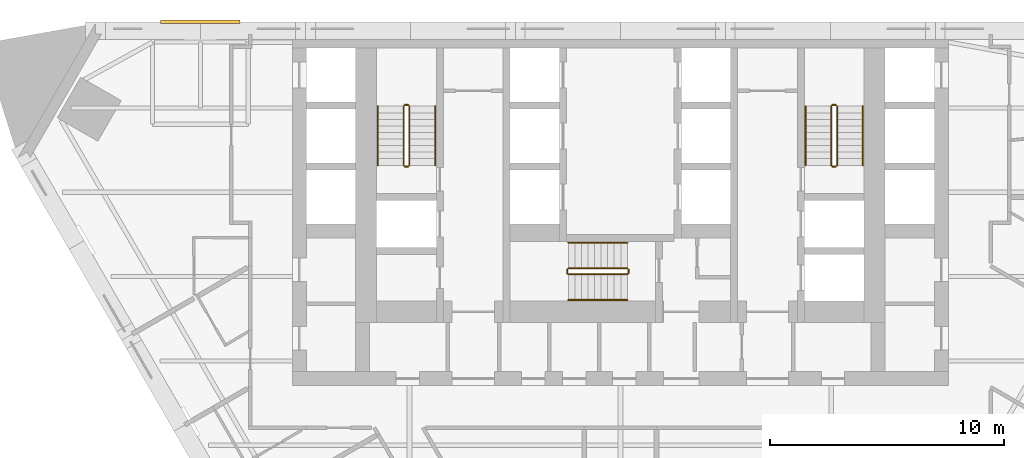
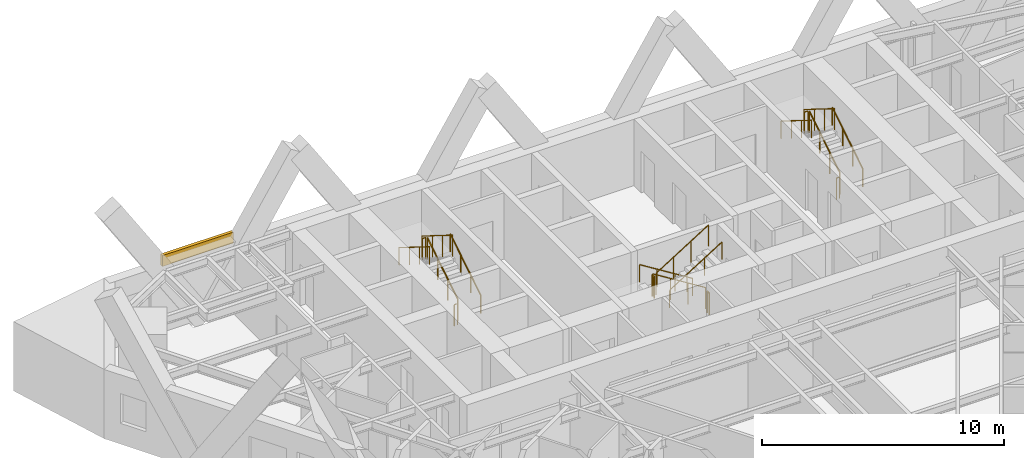
# One storey, part 9 of 9: 18 railings, 1 covering.
"""IFC4 building model written with IfcOpenShell, lengths in metres."""

from ifc_helpers import new_model, si_unit, direction, frame, origin, origin_2d, place, context, subcontext, project, spatial, polyline, circle, outline, extrude, material, layer, layer_set, type_object, element, save


model = new_model("IFC4")

# Units and contexts
model_context = context("Model", 3, precision=1e-05, world=origin(), true_north=direction((0.0, 1.0)))
body_context = subcontext(model_context, "Body", "Model", "MODEL_VIEW")
ifc_project = project(units=[si_unit("LENGTHUNIT", "METRE"), si_unit("AREAUNIT", "SQUARE_METRE"), si_unit("VOLUMEUNIT", "CUBIC_METRE"), si_unit("PLANEANGLEUNIT", "RADIAN"), si_unit("MASSUNIT", "GRAM", prefix="KILO")], contexts=[model_context])

# Site, building, storey
site_placement = place(None, origin())
site = spatial("IfcSite", under=ifc_project, at=site_placement, CompositionType="ELEMENT")
building_placement = place(site_placement, origin())
building = spatial("IfcBuilding", under=site, at=building_placement, Name="Aloe Facet Convention Tower", CompositionType="ELEMENT")
storey_placement = place(building_placement, frame((0.0, 0.0, 42.0)))
storey = spatial("IfcBuildingStorey", under=building, at=storey_placement, Name="L08", CompositionType="ELEMENT", Elevation=42.0)

# Railings
ifc_material_1 = material(Name="Steel S355 balustrade", Category="steel")
railing_type_1 = type_object("IfcRailingType", Name="CR-RL-GUARD", PredefinedType="GUARDRAIL", material=ifc_material_1)
railing_1_placement = place(storey_placement, frame((71.0, 128.949951171875, 0.175048828125)))
element("IfcRailing", 1, at=railing_1_placement, inside=storey, type_object=railing_type_1, Name="L08 ST1 stair guard 1", PredefinedType="GUARDRAIL", context=body_context, shape_type="SweptSolid", body=[
    extrude(circle(Radius=0.02392578125, at=origin_2d()), frame((0.0, 0.0, 1.076171875), z_axis=(0.0, 0.848007534815, 0.529984170421), x_axis=(-1.0, 0.0, 0.0)), (0.0, 0.0, 1.0), 2.9716796875),
    extrude(circle(Radius=0.02099609375, at=origin_2d()), origin(), (0.0, 0.0, 1.0), 1.052001953125),
    extrude(circle(Radius=0.02099609375, at=origin_2d()), frame((0.0, 0.840087890625, 0.52490234375)), (0.0, 0.0, 1.0), 1.052001953125),
    extrude(circle(Radius=0.02099609375, at=origin_2d()), frame((0.0, 1.679931640625, 1.050048828125)), (0.0, 0.0, 1.0), 1.052001953125),
    extrude(circle(Radius=0.02099609375, at=origin_2d()), frame((0.0, 2.52001953125, 1.574951171875)), (0.0, 0.0, 1.0), 1.052001953125),
])
railing_2_placement = place(storey_placement, frame((70.949951171875, 131.52001953125, 1.75)))
element("IfcRailing", 2, at=railing_2_placement, inside=storey, type_object=railing_type_1, Name="L08 ST1 stair guard 2", PredefinedType="GUARDRAIL", context=body_context, shape_type="SweptSolid", body=[
    extrude(circle(Radius=0.02392578125, at=origin_2d()), frame((0.0, 0.0, 1.076171875), z_axis=(-1.0, 0.0, 0.0), x_axis=(0.0, -1.0, 0.0)), (0.0, 0.0, 1.0), 0.14990234375),
    extrude(circle(Radius=0.02099609375, at=origin_2d()), origin(), (0.0, 0.0, 1.0), 1.052001953125),
    extrude(circle(Radius=0.02099609375, at=origin_2d()), frame((-0.14990234375, 0.0, 0.0)), (0.0, 0.0, 1.0), 1.052001953125),
])
railing_3_placement = place(storey_placement, frame((70.75, 131.469970703125, 1.925048828125)))
element("IfcRailing", 3, at=railing_3_placement, inside=storey, type_object=railing_type_1, Name="L08 ST1 stair guard 3", PredefinedType="GUARDRAIL", context=body_context, shape_type="SweptSolid", body=[
    extrude(circle(Radius=0.02392578125, at=origin_2d()), frame((0.0, 0.0, 1.076171875), z_axis=(0.0, -0.848007534815, 0.529984170421), x_axis=(1.0, 0.0, 0.0)), (0.0, 0.0, 1.0), 2.9716796875),
    extrude(circle(Radius=0.02099609375, at=origin_2d()), origin(), (0.0, 0.0, 1.0), 1.052001953125),
    extrude(circle(Radius=0.02099609375, at=origin_2d()), frame((0.0, -0.840087890625, 0.52490234375)), (0.0, 0.0, 1.0), 1.052001953125),
    extrude(circle(Radius=0.02099609375, at=origin_2d()), frame((0.0, -1.679931640625, 1.050048828125)), (0.0, 0.0, 1.0), 1.052001953125),
    extrude(circle(Radius=0.02099609375, at=origin_2d()), frame((0.0, -2.52001953125, 1.574951171875)), (0.0, 0.0, 1.0), 1.052001953125),
])
railing_4_placement = place(storey_placement, frame((70.949951171875, 128.89990234375, 0.0)))
element("IfcRailing", 4, at=railing_4_placement, inside=storey, type_object=railing_type_1, Name="L08 ST1 stair guard 4", PredefinedType="GUARDRAIL", context=body_context, shape_type="SweptSolid", body=[
    extrude(circle(Radius=0.02392578125, at=origin_2d()), frame((0.0, 0.0, 1.076171875), z_axis=(-1.0, 0.0, 0.0), x_axis=(0.0, -1.0, 0.0)), (0.0, 0.0, 1.0), 0.14990234375),
    extrude(circle(Radius=0.02099609375, at=origin_2d()), origin(), (0.0, 0.0, 1.0), 1.052001953125),
    extrude(circle(Radius=0.02099609375, at=origin_2d()), frame((-0.14990234375, 0.0, 0.0)), (0.0, 0.0, 1.0), 1.052001953125),
])
railing_5_placement = place(storey_placement, frame((89.25, 128.949951171875, 0.175048828125)))
element("IfcRailing", 5, at=railing_5_placement, inside=storey, type_object=railing_type_1, Name="L08 ST2 stair guard 1", PredefinedType="GUARDRAIL", context=body_context, shape_type="SweptSolid", body=[
    extrude(circle(Radius=0.02392578125, at=origin_2d()), frame((0.0, 0.0, 1.076171875), z_axis=(0.0, 0.848007534815, 0.529984170421), x_axis=(-1.0, 0.0, 0.0)), (0.0, 0.0, 1.0), 2.9716796875),
    extrude(circle(Radius=0.02099609375, at=origin_2d()), origin(), (0.0, 0.0, 1.0), 1.052001953125),
    extrude(circle(Radius=0.02099609375, at=origin_2d()), frame((0.0, 0.840087890625, 0.52490234375)), (0.0, 0.0, 1.0), 1.052001953125),
    extrude(circle(Radius=0.02099609375, at=origin_2d()), frame((0.0, 1.679931640625, 1.050048828125)), (0.0, 0.0, 1.0), 1.052001953125),
    extrude(circle(Radius=0.02099609375, at=origin_2d()), frame((0.0, 2.52001953125, 1.574951171875)), (0.0, 0.0, 1.0), 1.052001953125),
])
railing_6_placement = place(storey_placement, frame((89.199951171875, 131.52001953125, 1.75)))
element("IfcRailing", 6, at=railing_6_placement, inside=storey, type_object=railing_type_1, Name="L08 ST2 stair guard 2", PredefinedType="GUARDRAIL", context=body_context, shape_type="SweptSolid", body=[
    extrude(circle(Radius=0.02392578125, at=origin_2d()), frame((0.0, 0.0, 1.076171875), z_axis=(-1.0, 0.0, 0.0), x_axis=(0.0, -1.0, 0.0)), (0.0, 0.0, 1.0), 0.14990234375),
    extrude(circle(Radius=0.02099609375, at=origin_2d()), origin(), (0.0, 0.0, 1.0), 1.052001953125),
    extrude(circle(Radius=0.02099609375, at=origin_2d()), frame((-0.14990234375, 0.0, 0.0)), (0.0, 0.0, 1.0), 1.052001953125),
])
railing_7_placement = place(storey_placement, frame((89.0, 131.469970703125, 1.925048828125)))
element("IfcRailing", 7, at=railing_7_placement, inside=storey, type_object=railing_type_1, Name="L08 ST2 stair guard 3", PredefinedType="GUARDRAIL", context=body_context, shape_type="SweptSolid", body=[
    extrude(circle(Radius=0.02392578125, at=origin_2d()), frame((0.0, 0.0, 1.076171875), z_axis=(0.0, -0.848007534815, 0.529984170421), x_axis=(1.0, 0.0, 0.0)), (0.0, 0.0, 1.0), 2.9716796875),
    extrude(circle(Radius=0.02099609375, at=origin_2d()), origin(), (0.0, 0.0, 1.0), 1.052001953125),
    extrude(circle(Radius=0.02099609375, at=origin_2d()), frame((0.0, -0.840087890625, 0.52490234375)), (0.0, 0.0, 1.0), 1.052001953125),
    extrude(circle(Radius=0.02099609375, at=origin_2d()), frame((0.0, -1.679931640625, 1.050048828125)), (0.0, 0.0, 1.0), 1.052001953125),
    extrude(circle(Radius=0.02099609375, at=origin_2d()), frame((0.0, -2.52001953125, 1.574951171875)), (0.0, 0.0, 1.0), 1.052001953125),
])
railing_8_placement = place(storey_placement, frame((89.199951171875, 128.89990234375, 0.0)))
element("IfcRailing", 8, at=railing_8_placement, inside=storey, type_object=railing_type_1, Name="L08 ST2 stair guard 4", PredefinedType="GUARDRAIL", context=body_context, shape_type="SweptSolid", body=[
    extrude(circle(Radius=0.02392578125, at=origin_2d()), frame((0.0, 0.0, 1.076171875), z_axis=(-1.0, 0.0, 0.0), x_axis=(0.0, -1.0, 0.0)), (0.0, 0.0, 1.0), 0.14990234375),
    extrude(circle(Radius=0.02099609375, at=origin_2d()), origin(), (0.0, 0.0, 1.0), 1.052001953125),
    extrude(circle(Radius=0.02099609375, at=origin_2d()), frame((-0.14990234375, 0.0, 0.0)), (0.0, 0.0, 1.0), 1.052001953125),
])
railing_9_placement = place(storey_placement, frame((80.300048828125, 124.550048828125, 0.175048828125)))
element("IfcRailing", 9, at=railing_9_placement, inside=storey, type_object=railing_type_1, Name="L08 ST3 stair guard 1", PredefinedType="GUARDRAIL", context=body_context, shape_type="SweptSolid", body=[
    extrude(circle(Radius=0.02392578125, at=origin_2d()), frame((0.0, 0.0, 1.076171875), z_axis=(-0.848007534815, 0.0, 0.529984170421), x_axis=(0.0, -1.0, 0.0)), (0.0, 0.0, 1.0), 2.9716796875),
    extrude(circle(Radius=0.02099609375, at=origin_2d()), origin(), (0.0, 0.0, 1.0), 1.052001953125),
    extrude(circle(Radius=0.02099609375, at=origin_2d()), frame((-0.840087890625, 0.0, 0.52490234375)), (0.0, 0.0, 1.0), 1.052001953125),
    extrude(circle(Radius=0.02099609375, at=origin_2d()), frame((-1.679931640625, 0.0, 1.050048828125)), (0.0, 0.0, 1.0), 1.052001953125),
    extrude(circle(Radius=0.02099609375, at=origin_2d()), frame((-2.52001953125, 0.0, 1.574951171875)), (0.0, 0.0, 1.0), 1.052001953125),
])
railing_10_placement = place(storey_placement, frame((77.72998046875, 124.5, 1.75)))
element("IfcRailing", 10, at=railing_10_placement, inside=storey, type_object=railing_type_1, Name="L08 ST3 stair guard 2", PredefinedType="GUARDRAIL", context=body_context, shape_type="SweptSolid", body=[
    extrude(circle(Radius=0.02392578125, at=origin_2d()), frame((0.0, 0.0, 1.076171875), z_axis=(0.0, -1.0, 0.0), x_axis=(1.0, 0.0, 0.0)), (0.0, 0.0, 1.0), 0.14990234375),
    extrude(circle(Radius=0.02099609375, at=origin_2d()), origin(), (0.0, 0.0, 1.0), 1.052001953125),
    extrude(circle(Radius=0.02099609375, at=origin_2d()), frame((0.0, -0.14990234375, 0.0)), (0.0, 0.0, 1.0), 1.052001953125),
])
railing_11_placement = place(storey_placement, frame((77.780029296875, 124.300048828125, 1.925048828125)))
element("IfcRailing", 11, at=railing_11_placement, inside=storey, type_object=railing_type_1, Name="L08 ST3 stair guard 3", PredefinedType="GUARDRAIL", context=body_context, shape_type="SweptSolid", body=[
    extrude(circle(Radius=0.02392578125, at=origin_2d()), frame((0.0, 0.0, 1.076171875), z_axis=(0.848007534815, 0.0, 0.529984170421), x_axis=(0.0, 1.0, 0.0)), (0.0, 0.0, 1.0), 2.9716796875),
    extrude(circle(Radius=0.02099609375, at=origin_2d()), origin(), (0.0, 0.0, 1.0), 1.052001953125),
    extrude(circle(Radius=0.02099609375, at=origin_2d()), frame((0.840087890625, 0.0, 0.52490234375)), (0.0, 0.0, 1.0), 1.052001953125),
    extrude(circle(Radius=0.02099609375, at=origin_2d()), frame((1.679931640625, 0.0, 1.050048828125)), (0.0, 0.0, 1.0), 1.052001953125),
    extrude(circle(Radius=0.02099609375, at=origin_2d()), frame((2.52001953125, 0.0, 1.574951171875)), (0.0, 0.0, 1.0), 1.052001953125),
])
railing_12_placement = place(storey_placement, frame((80.35009765625, 124.5, 0.0)))
element("IfcRailing", 12, at=railing_12_placement, inside=storey, type_object=railing_type_1, Name="L08 ST3 stair guard 4", PredefinedType="GUARDRAIL", context=body_context, shape_type="SweptSolid", body=[
    extrude(circle(Radius=0.02392578125, at=origin_2d()), frame((0.0, 0.0, 1.076171875), z_axis=(0.0, -1.0, 0.0), x_axis=(1.0, 0.0, 0.0)), (0.0, 0.0, 1.0), 0.14990234375),
    extrude(circle(Radius=0.02099609375, at=origin_2d()), origin(), (0.0, 0.0, 1.0), 1.052001953125),
    extrude(circle(Radius=0.02099609375, at=origin_2d()), frame((0.0, -0.14990234375, 0.0)), (0.0, 0.0, 1.0), 1.052001953125),
])
ifc_material_2 = material(Name="Steel S355 handrail", Category="steel")
railing_type_2 = type_object("IfcRailingType", Name="CR-RL-HAND", PredefinedType="HANDRAIL", material=ifc_material_2)
railing_13_placement = place(storey_placement, frame((72.10009765625, 128.949951171875, 0.175048828125)))
element("IfcRailing", 13, at=railing_13_placement, inside=storey, type_object=railing_type_2, Name="L08 ST1 stair handrail 1", PredefinedType="HANDRAIL", context=body_context, shape_type="SweptSolid", body=[
    extrude(circle(Radius=0.02392578125, at=origin_2d()), frame((0.0, 0.0, 0.8759765625), z_axis=(0.0, 0.848007534815, 0.529984170421), x_axis=(-1.0, 0.0, 0.0)), (0.0, 0.0, 1.0), 2.9716796875),
    extrude(circle(Radius=0.02099609375, at=origin_2d()), origin(), (0.0, 0.0, 1.0), 0.851806640625),
    extrude(circle(Radius=0.02099609375, at=origin_2d()), frame((0.0, 0.840087890625, 0.52490234375)), (0.0, 0.0, 1.0), 0.851806640625),
    extrude(circle(Radius=0.02099609375, at=origin_2d()), frame((0.0, 1.679931640625, 1.050048828125)), (0.0, 0.0, 1.0), 0.851806640625),
    extrude(circle(Radius=0.02099609375, at=origin_2d()), frame((0.0, 2.52001953125, 1.574951171875)), (0.0, 0.0, 1.0), 0.851806640625),
])
railing_14_placement = place(storey_placement, frame((69.64990234375, 131.469970703125, 1.925048828125)))
element("IfcRailing", 14, at=railing_14_placement, inside=storey, type_object=railing_type_2, Name="L08 ST1 stair handrail 2", PredefinedType="HANDRAIL", context=body_context, shape_type="SweptSolid", body=[
    extrude(circle(Radius=0.02392578125, at=origin_2d()), frame((0.0, 0.0, 0.8759765625), z_axis=(0.0, -0.848007534815, 0.529984170421), x_axis=(1.0, 0.0, 0.0)), (0.0, 0.0, 1.0), 2.9716796875),
    extrude(circle(Radius=0.02099609375, at=origin_2d()), origin(), (0.0, 0.0, 1.0), 0.851806640625),
    extrude(circle(Radius=0.02099609375, at=origin_2d()), frame((0.0, -0.840087890625, 0.52490234375)), (0.0, 0.0, 1.0), 0.851806640625),
    extrude(circle(Radius=0.02099609375, at=origin_2d()), frame((0.0, -1.679931640625, 1.050048828125)), (0.0, 0.0, 1.0), 0.851806640625),
    extrude(circle(Radius=0.02099609375, at=origin_2d()), frame((0.0, -2.52001953125, 1.574951171875)), (0.0, 0.0, 1.0), 0.851806640625),
])
railing_15_placement = place(storey_placement, frame((90.35009765625, 128.949951171875, 0.175048828125)))
element("IfcRailing", 15, at=railing_15_placement, inside=storey, type_object=railing_type_2, Name="L08 ST2 stair handrail 1", PredefinedType="HANDRAIL", context=body_context, shape_type="SweptSolid", body=[
    extrude(circle(Radius=0.02392578125, at=origin_2d()), frame((0.0, 0.0, 0.8759765625), z_axis=(0.0, 0.848007534815, 0.529984170421), x_axis=(-1.0, 0.0, 0.0)), (0.0, 0.0, 1.0), 2.9716796875),
    extrude(circle(Radius=0.02099609375, at=origin_2d()), origin(), (0.0, 0.0, 1.0), 0.851806640625),
    extrude(circle(Radius=0.02099609375, at=origin_2d()), frame((0.0, 0.840087890625, 0.52490234375)), (0.0, 0.0, 1.0), 0.851806640625),
    extrude(circle(Radius=0.02099609375, at=origin_2d()), frame((0.0, 1.679931640625, 1.050048828125)), (0.0, 0.0, 1.0), 0.851806640625),
    extrude(circle(Radius=0.02099609375, at=origin_2d()), frame((0.0, 2.52001953125, 1.574951171875)), (0.0, 0.0, 1.0), 0.851806640625),
])
railing_16_placement = place(storey_placement, frame((87.89990234375, 131.469970703125, 1.925048828125)))
element("IfcRailing", 16, at=railing_16_placement, inside=storey, type_object=railing_type_2, Name="L08 ST2 stair handrail 2", PredefinedType="HANDRAIL", context=body_context, shape_type="SweptSolid", body=[
    extrude(circle(Radius=0.02392578125, at=origin_2d()), frame((0.0, 0.0, 0.8759765625), z_axis=(0.0, -0.848007534815, 0.529984170421), x_axis=(1.0, 0.0, 0.0)), (0.0, 0.0, 1.0), 2.9716796875),
    extrude(circle(Radius=0.02099609375, at=origin_2d()), origin(), (0.0, 0.0, 1.0), 0.851806640625),
    extrude(circle(Radius=0.02099609375, at=origin_2d()), frame((0.0, -0.840087890625, 0.52490234375)), (0.0, 0.0, 1.0), 0.851806640625),
    extrude(circle(Radius=0.02099609375, at=origin_2d()), frame((0.0, -1.679931640625, 1.050048828125)), (0.0, 0.0, 1.0), 0.851806640625),
    extrude(circle(Radius=0.02099609375, at=origin_2d()), frame((0.0, -2.52001953125, 1.574951171875)), (0.0, 0.0, 1.0), 0.851806640625),
])
railing_17_placement = place(storey_placement, frame((80.300048828125, 125.64990234375, 0.175048828125)))
element("IfcRailing", 17, at=railing_17_placement, inside=storey, type_object=railing_type_2, Name="L08 ST3 stair handrail 1", PredefinedType="HANDRAIL", context=body_context, shape_type="SweptSolid", body=[
    extrude(circle(Radius=0.02392578125, at=origin_2d()), frame((0.0, 0.0, 0.8759765625), z_axis=(-0.848007534815, 0.0, 0.529984170421), x_axis=(0.0, -1.0, 0.0)), (0.0, 0.0, 1.0), 2.9716796875),
    extrude(circle(Radius=0.02099609375, at=origin_2d()), origin(), (0.0, 0.0, 1.0), 0.851806640625),
    extrude(circle(Radius=0.02099609375, at=origin_2d()), frame((-0.840087890625, 0.0, 0.52490234375)), (0.0, 0.0, 1.0), 0.851806640625),
    extrude(circle(Radius=0.02099609375, at=origin_2d()), frame((-1.679931640625, 0.0, 1.050048828125)), (0.0, 0.0, 1.0), 0.851806640625),
    extrude(circle(Radius=0.02099609375, at=origin_2d()), frame((-2.52001953125, 0.0, 1.574951171875)), (0.0, 0.0, 1.0), 0.851806640625),
])
railing_18_placement = place(storey_placement, frame((77.780029296875, 123.199951171875, 1.925048828125)))
element("IfcRailing", 18, at=railing_18_placement, inside=storey, type_object=railing_type_2, Name="L08 ST3 stair handrail 2", PredefinedType="HANDRAIL", context=body_context, shape_type="SweptSolid", body=[
    extrude(circle(Radius=0.02392578125, at=origin_2d()), frame((0.0, 0.0, 0.8759765625), z_axis=(0.848007534815, 0.0, 0.529984170421), x_axis=(0.0, 1.0, 0.0)), (0.0, 0.0, 1.0), 2.9716796875),
    extrude(circle(Radius=0.02099609375, at=origin_2d()), origin(), (0.0, 0.0, 1.0), 0.851806640625),
    extrude(circle(Radius=0.02099609375, at=origin_2d()), frame((0.840087890625, 0.0, 0.52490234375)), (0.0, 0.0, 1.0), 0.851806640625),
    extrude(circle(Radius=0.02099609375, at=origin_2d()), frame((1.679931640625, 0.0, 1.050048828125)), (0.0, 0.0, 1.0), 0.851806640625),
    extrude(circle(Radius=0.02099609375, at=origin_2d()), frame((2.52001953125, 0.0, 1.574951171875)), (0.0, 0.0, 1.0), 0.851806640625),
])

# Covering
ifc_material_3 = material(Name="Bronze oxide fascia sheet")
ifc_layer = layer(ifc_material_3, 0.14990234375)
ifc_layer_set = layer_set([ifc_layer], Name="EV-FASCIA-TERR")
covering_type = type_object("IfcCoveringType", Name="EV-FASCIA-TERR", PredefinedType="CLADDING", material=ifc_layer_set)
covering_placement = place(storey_placement, frame((0.0, 0.0, 2.949951171875)))
element("IfcCovering", 19, at=covering_placement, inside=storey, type_object=covering_type, Name="Terrace fascia T01 sill", PredefinedType="CLADDING", context=body_context, shape_type="SweptSolid", body=[
    extrude(outline(polyline([(63.780029296875, 135.14990234375), (60.3798828125, 135.14990234375), (60.3798828125, 135.0), (63.780029296875, 135.0), (63.780029296875, 135.14990234375)])), origin(), (0.0, 0.0, 1.0), 0.550048828125),
])

save(model, "model.ifc")
